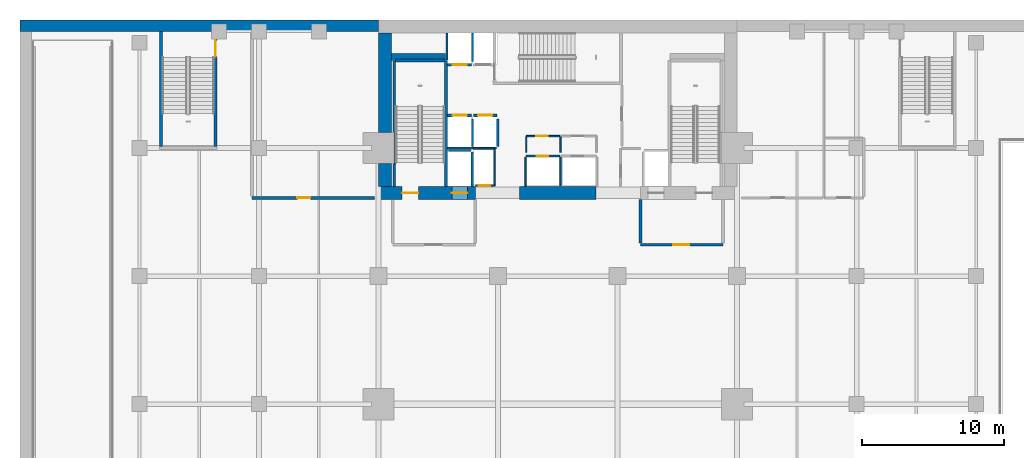
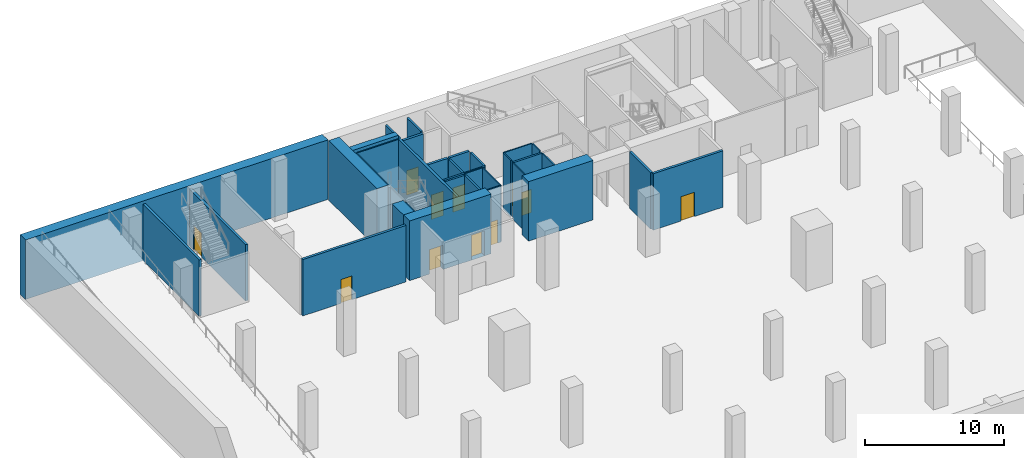
# One storey, part 4 of 10: 35 walls, 11 doors, 11 openings.
"""IFC4 building model written with IfcOpenShell, lengths in metres."""

from ifc_helpers import new_model, si_unit, direction, frame, frame_2d, origin, place, context, subcontext, project, spatial, rectangle, extrude, material, layer, layer_set, type_object, element, fill, save


model = new_model("IFC4")

# Units and contexts
model_context = context("Model", 3, precision=1e-05, world=origin(), true_north=direction((0.0, 1.0)))
body_context = subcontext(model_context, "Body", "Model", "MODEL_VIEW")
ifc_project = project(units=[si_unit("LENGTHUNIT", "METRE"), si_unit("AREAUNIT", "SQUARE_METRE"), si_unit("VOLUMEUNIT", "CUBIC_METRE"), si_unit("PLANEANGLEUNIT", "RADIAN"), si_unit("MASSUNIT", "GRAM", prefix="KILO")], contexts=[model_context])

# Site, building, storey
site_placement = place(None, origin())
site = spatial("IfcSite", under=ifc_project, at=site_placement, CompositionType="ELEMENT")
building_placement = place(site_placement, origin())
building = spatial("IfcBuilding", under=site, at=building_placement, Name="Maruvema Waterfront Hotel and Observation Tower", CompositionType="ELEMENT")
storey_placement = place(building_placement, frame((0.0, 0.0, -5.25)))
storey = spatial("IfcBuildingStorey", under=building, at=storey_placement, Name="B01", CompositionType="ELEMENT", Elevation=-5.25)

# Wall, opening, door
ifc_material_1 = material(Name="Twin-stud acoustic gypsum drywall", Category="gypsum")
ifc_layer_1 = layer(ifc_material_1, 0.14990234375, Name="Acoustic Corridor and Suite Demising Wall 150 mm")
ifc_layer_set_1 = layer_set([ifc_layer_1], Name="Twin-stud acoustic gypsum drywall")
wall_type_1 = type_object("IfcWallType", Name="Acoustic Corridor and Suite Demising Wall 150 mm", PredefinedType="PARTITIONING", material=ifc_layer_set_1)
wall_1_placement = place(storey_placement, frame((35.56005859375, 44.43994140625, 0.0), z_axis=(0.0, 0.0, 1.0), x_axis=(1.0, 0.0, 0.0)))
wall_1 = element("IfcWall", 1, at=wall_1_placement, inside=storey, type_object=wall_type_1, Name="B01 Core Riser Wall W 017", PredefinedType="PARTITIONING", context=body_context, shape_type="SweptSolid", body=[
    extrude(rectangle(XDim=2.39990234375, YDim=0.14990234375, at=frame_2d((1.199951171875, 0.0))), origin(), (0.0, 0.0, 1.0), 4.969970703125),
])
opening_1_placement = place(wall_1_placement, frame((0.75, 0.0, 0.0)))
opening_1 = element("IfcOpeningElement", 2, at=opening_1_placement, cuts=wall_1, Name="Opening DR-080", PredefinedType="OPENING", context=body_context, shape_type="SweptSolid", body=[
    extrude(rectangle(XDim=0.800048828125, YDim=2.050048828125, at=frame_2d((0.39990234375, 1.02490234375))), frame((0.0, 0.0849609375, 0.0), z_axis=(0.0, -1.0, 0.0), x_axis=(1.0, 0.0, 0.0)), (0.0, 0.0, 1.0), 0.169921875),
])
ifc_material_2 = material(Name="Powder-coated steel access leaf", Category="steel")
door_type_1 = type_object("IfcDoorType", Name="Riser and Service Cupboard Door 800x2050 mm", OperationType="NOTDEFINED", PredefinedType="DOOR", material=ifc_material_2)
door_1_placement = place(opening_1_placement, origin())
door_1 = element("IfcDoor", 3, at=door_1_placement, inside=storey, type_object=door_type_1, Name="B01 Electrical Riser Door", OperationType="SINGLE_SWING_RIGHT", OverallHeight=2.050048828125, OverallWidth=0.800048828125, PredefinedType="DOOR", context=body_context, shape_type="SweptSolid", body=[
    extrude(rectangle(XDim=0.800048828125, YDim=2.050048828125, at=frame_2d((0.39990234375, 1.02490234375))), frame((0.0, 0.02490234375, 0.0), z_axis=(0.0, -1.0, 0.0), x_axis=(1.0, 0.0, 0.0)), (0.0, 0.0, 1.0), 0.050048828125),
])
fill(opening_1, door_1)

# Walls
ifc_material_3 = material(Name="Concrete C60/75", Category="concrete")
ifc_layer_2 = layer(ifc_material_3, 0.800048828125, Name="Basement Retaining Diaphragm Wall 800 mm")
ifc_layer_set_2 = layer_set([ifc_layer_2], Name="Concrete C60/75")
wall_type_2 = type_object("IfcWallType", Name="Basement Retaining Diaphragm Wall 800 mm", PredefinedType="USERDEFINED", material=ifc_layer_set_2)
wall_2_placement = place(storey_placement, frame((0.0, 53.60009765625, 0.0), z_axis=(0.0, 0.0, 1.0), x_axis=(1.0, 0.0, 0.0)))
element("IfcWall", 4, at=wall_2_placement, inside=storey, type_object=wall_type_2, Name="B01 North-West Retaining Diaphragm Wall 800 mm", ObjectType="RETAINING WALL", PredefinedType="USERDEFINED", context=body_context, shape_type="SweptSolid", body=[
    extrude(rectangle(XDim=25.199951171875, YDim=0.800048828125, at=frame_2d((12.60009765625, 0.0))), origin(), (0.0, 0.0, 1.0), 5.25),
])
ifc_material_4 = material(Name="Precast concrete C45/55", Category="concrete")
ifc_layer_3 = layer(ifc_material_4, 0.199951171875, Name="Core Shaft and Stairwell Enclosure Wall 200 mm")
ifc_layer_set_3 = layer_set([ifc_layer_3], Name="Precast concrete C45/55")
wall_type_3 = type_object("IfcWallType", Name="Core Shaft and Stairwell Enclosure Wall 200 mm", PredefinedType="SOLIDWALL", material=ifc_layer_set_3)
wall_3_placement = place(storey_placement, frame((29.949951171875, 42.300048828125, 0.0), z_axis=(0.0, 0.0, 1.0), x_axis=(0.0, 1.0, 0.0)))
element("IfcWall", 5, at=wall_3_placement, inside=storey, type_object=wall_type_3, Name="B01 Stairwell ST-01 East Shaft Wall", PredefinedType="SOLIDWALL", context=body_context, shape_type="SweptSolid", body=[
    extrude(rectangle(XDim=8.849853515625, YDim=0.199951171875, at=frame_2d((4.4248046875, 0.0))), origin(), (0.0, 0.0, 1.0), 4.969970703125),
])
wall_4_placement = place(storey_placement, frame((26.300048828125, 42.300048828125, 0.0), z_axis=(0.0, 0.0, 1.0), x_axis=(0.0, 1.0, 0.0)))
element("IfcWall", 6, at=wall_4_placement, inside=storey, type_object=wall_type_3, Name="B01 Stairwell ST-01 Shaft Lining Wall", PredefinedType="SOLIDWALL", context=body_context, shape_type="SweptSolid", body=[
    extrude(rectangle(XDim=1.579833984375, YDim=0.199951171875, at=frame_2d((0.7900390625, 0.0))), origin(), (0.0, 0.0, 1.0), 4.969970703125),
])
wall_5_placement = place(storey_placement, frame((26.300048828125, 46.1201171875, 0.0), z_axis=(0.0, 0.0, 1.0), x_axis=(0.0, 1.0, 0.0)))
element("IfcWall", 7, at=wall_5_placement, inside=storey, type_object=wall_type_3, Name="B01 Stairwell ST-01 Shaft Lining Wall", PredefinedType="SOLIDWALL", context=body_context, shape_type="SweptSolid", body=[
    extrude(rectangle(XDim=5.0, YDim=0.199951171875, at=frame_2d((2.5, 0.0))), origin(), (0.0, 0.0, 1.0), 4.969970703125),
])
wall_6_placement = place(storey_placement, frame((26.3798828125, 51.14990234375, 0.0), z_axis=(0.0, 0.0, 1.0), x_axis=(1.0, 0.0, 0.0)))
element("IfcWall", 8, at=wall_6_placement, inside=storey, type_object=wall_type_3, Name="B01 Stairwell ST-01 Shaft Lining Wall", PredefinedType="SOLIDWALL", context=body_context, shape_type="SweptSolid", body=[
    extrude(rectangle(XDim=3.5, YDim=0.199951171875, at=frame_2d((1.75, 0.0))), origin(), (0.0, 0.0, 1.0), 4.969970703125),
])
wall_7_placement = place(storey_placement, frame((9.89990234375, 45.10009765625, 0.0), z_axis=(0.0, 0.0, 1.0), x_axis=(0.0, 1.0, 0.0)))
element("IfcWall", 9, at=wall_7_placement, inside=storey, type_object=wall_type_3, Name="B01 Stairwell ST-04 Shaft Wall", PredefinedType="SOLIDWALL", context=body_context, shape_type="SweptSolid", body=[
    extrude(rectangle(XDim=8.099853515625, YDim=0.199951171875, at=frame_2d((4.0498046875, 0.0))), origin(), (0.0, 0.0, 1.0), 4.969970703125),
])

# Wall, opening, door
wall_8_placement = place(storey_placement, frame((13.75, 45.10009765625, 0.0), z_axis=(0.0, 0.0, 1.0), x_axis=(0.0, 1.0, 0.0)))
wall_8 = element("IfcWall", 10, at=wall_8_placement, inside=storey, type_object=wall_type_3, Name="B01 Stairwell ST-04 Shaft Wall", PredefinedType="SOLIDWALL", context=body_context, shape_type="SweptSolid", body=[
    extrude(rectangle(XDim=8.099853515625, YDim=0.199951171875, at=frame_2d((4.0498046875, 0.0))), origin(), (0.0, 0.0, 1.0), 4.969970703125),
])
opening_2_placement = place(wall_8_placement, frame((6.320068359375, 0.0, 0.0)))
opening_2 = element("IfcOpeningElement", 11, at=opening_2_placement, cuts=wall_8, Name="Opening SD-01", PredefinedType="OPENING", context=body_context, shape_type="SweptSolid", body=[
    extrude(rectangle(XDim=1.14990234375, YDim=2.14990234375, at=frame_2d((0.574951171875, 1.074951171875))), frame((0.0, 0.10986328125, 0.0), z_axis=(0.0, -1.0, 0.0), x_axis=(1.0, 0.0, 0.0)), (0.0, 0.0, 1.0), 0.219970703125),
])
ifc_material_5 = material(Name="Fire-rated galvanised steel leaf", Category="steel")
door_type_2 = type_object("IfcDoorType", Name="Exit Stair Fire Door 1150x2150 mm", OperationType="NOTDEFINED", PredefinedType="DOOR", material=ifc_material_5)
door_2_placement = place(opening_2_placement, origin())
door_2 = element("IfcDoor", 12, at=door_2_placement, inside=storey, type_object=door_type_2, Name="B01 Exit Stair ST-04 Fire Door", OperationType="SINGLE_SWING_RIGHT", OverallHeight=2.14990234375, OverallWidth=1.14990234375, PredefinedType="DOOR", context=body_context, shape_type="SweptSolid", body=[
    extrude(rectangle(XDim=1.14990234375, YDim=2.14990234375, at=frame_2d((0.574951171875, 1.074951171875))), frame((0.0, 0.02490234375, 0.0), z_axis=(0.0, -1.0, 0.0), x_axis=(1.0, 0.0, 0.0)), (0.0, 0.0, 1.0), 0.050048828125),
])
fill(opening_2, door_2)

wall_9_placement = place(storey_placement, frame((30.06005859375, 47.300048828125, 0.0), z_axis=(0.0, 0.0, 1.0), x_axis=(1.0, 0.0, 0.0)))
wall_9 = element("IfcWall", 13, at=wall_9_placement, inside=storey, type_object=wall_type_3, Name="B01 Lift LF-01 Hoistway Front Wall", PredefinedType="SOLIDWALL", context=body_context, shape_type="SweptSolid", body=[
    extrude(rectangle(XDim=1.679931640625, YDim=0.199951171875, at=frame_2d((0.83984375, 0.0))), origin(), (0.0, 0.0, 1.0), 4.969970703125),
])
opening_3_placement = place(wall_9_placement, frame((0.340087890625, 0.0, 0.0)))
opening_3 = element("IfcOpeningElement", 14, at=opening_3_placement, cuts=wall_9, Name="Opening LD-01", PredefinedType="OPENING", context=body_context, shape_type="SweptSolid", body=[
    extrude(rectangle(XDim=1.0, YDim=2.14990234375, at=frame_2d((0.5, 1.074951171875))), frame((0.0, 0.10986328125, 0.0), z_axis=(0.0, -1.0, 0.0), x_axis=(1.0, 0.0, 0.0)), (0.0, 0.0, 1.0), 0.219970703125),
])
ifc_material_6 = material(Name="Brushed stainless steel Grade 316", Category="steel")
door_type_3 = type_object("IfcDoorType", Name="Passenger Lift Sliding Landing Door 1000x2150 mm", OperationType="SLIDING_TO_LEFT", PredefinedType="DOOR", material=ifc_material_6)
door_3_placement = place(opening_3_placement, origin())
door_3 = element("IfcDoor", 15, at=door_3_placement, inside=storey, type_object=door_type_3, Name="B01 Lift LF-01 Sliding Landing Door", OperationType="SLIDING_TO_LEFT", OverallHeight=2.14990234375, OverallWidth=1.0, PredefinedType="DOOR", context=body_context, shape_type="SweptSolid", body=[
    extrude(rectangle(XDim=1.0, YDim=2.14990234375, at=frame_2d((0.5, 1.074951171875))), frame((0.0, 0.02490234375, 0.0), z_axis=(0.0, -1.0, 0.0), x_axis=(1.0, 0.0, 0.0)), (0.0, 0.0, 1.0), 0.050048828125),
])
fill(opening_3, door_3)

wall_10_placement = place(storey_placement, frame((31.860107421875, 47.300048828125, 0.0), z_axis=(0.0, 0.0, 1.0), x_axis=(1.0, 0.0, 0.0)))
wall_10 = element("IfcWall", 16, at=wall_10_placement, inside=storey, type_object=wall_type_3, Name="B01 Lift LF-02 Hoistway Front Wall", PredefinedType="SOLIDWALL", context=body_context, shape_type="SweptSolid", body=[
    extrude(rectangle(XDim=1.679931640625, YDim=0.199951171875, at=frame_2d((0.83984375, 0.0))), origin(), (0.0, 0.0, 1.0), 4.969970703125),
])
opening_4_placement = place(wall_10_placement, frame((0.340087890625, 0.0, 0.0)))
opening_4 = element("IfcOpeningElement", 17, at=opening_4_placement, cuts=wall_10, Name="Opening LD-01", PredefinedType="OPENING", context=body_context, shape_type="SweptSolid", body=[
    extrude(rectangle(XDim=1.0, YDim=2.14990234375, at=frame_2d((0.5, 1.074951171875))), frame((0.0, 0.10986328125, 0.0), z_axis=(0.0, -1.0, 0.0), x_axis=(1.0, 0.0, 0.0)), (0.0, 0.0, 1.0), 0.219970703125),
])
door_4_placement = place(opening_4_placement, origin())
door_4 = element("IfcDoor", 18, at=door_4_placement, inside=storey, type_object=door_type_3, Name="B01 Lift LF-02 Sliding Landing Door", OperationType="SLIDING_TO_LEFT", OverallHeight=2.14990234375, OverallWidth=1.0, PredefinedType="DOOR", context=body_context, shape_type="SweptSolid", body=[
    extrude(rectangle(XDim=1.0, YDim=2.14990234375, at=frame_2d((0.5, 1.074951171875))), frame((0.0, 0.02490234375, 0.0), z_axis=(0.0, -1.0, 0.0), x_axis=(1.0, 0.0, 0.0)), (0.0, 0.0, 1.0), 0.050048828125),
])
fill(opening_4, door_4)

wall_11_placement = place(storey_placement, frame((30.06005859375, 50.85009765625, 0.0), z_axis=(0.0, 0.0, 1.0), x_axis=(1.0, 0.0, 0.0)))
wall_11 = element("IfcWall", 19, at=wall_11_placement, inside=storey, type_object=wall_type_3, Name="B01 Lift LF-03 Hoistway Front Wall", PredefinedType="SOLIDWALL", context=body_context, shape_type="SweptSolid", body=[
    extrude(rectangle(XDim=1.679931640625, YDim=0.199951171875, at=frame_2d((0.83984375, 0.0))), origin(), (0.0, 0.0, 1.0), 4.969970703125),
])
opening_5_placement = place(wall_11_placement, frame((0.340087890625, 0.0, 0.0)))
opening_5 = element("IfcOpeningElement", 20, at=opening_5_placement, cuts=wall_11, Name="Opening LD-01", PredefinedType="OPENING", context=body_context, shape_type="SweptSolid", body=[
    extrude(rectangle(XDim=1.0, YDim=2.14990234375, at=frame_2d((0.5, 1.074951171875))), frame((0.0, 0.10986328125, 0.0), z_axis=(0.0, -1.0, 0.0), x_axis=(1.0, 0.0, 0.0)), (0.0, 0.0, 1.0), 0.219970703125),
])
door_5_placement = place(opening_5_placement, frame((1.0, 0.0, 0.0), z_axis=(0.0, 0.0, 1.0), x_axis=(-1.0, 0.0, 0.0)))
door_5 = element("IfcDoor", 21, at=door_5_placement, inside=storey, type_object=door_type_3, Name="B01 Lift LF-03 Sliding Landing Door", OperationType="SLIDING_TO_LEFT", OverallHeight=2.14990234375, OverallWidth=1.0, PredefinedType="DOOR", context=body_context, shape_type="SweptSolid", body=[
    extrude(rectangle(XDim=1.0, YDim=2.14990234375, at=frame_2d((0.5, 1.074951171875))), frame((0.0, 0.02490234375, 0.0), z_axis=(0.0, -1.0, 0.0), x_axis=(1.0, 0.0, 0.0)), (0.0, 0.0, 1.0), 0.050048828125),
])
fill(opening_5, door_5)

# Wall
ifc_material_7 = material(Name="Concrete C70/85", Category="concrete")
ifc_layer_4 = layer(ifc_material_7, 0.5, Name="Core Shear Wall 500 mm")
ifc_layer_set_4 = layer_set([ifc_layer_4], Name="Concrete C70/85")
wall_type_4 = type_object("IfcWallType", Name="Core Shear Wall 500 mm", PredefinedType="SHEAR", material=ifc_layer_set_4)
wall_12_placement = place(storey_placement, frame((26.10009765625, 51.39990234375, 0.0), z_axis=(0.0, 0.0, 1.0), x_axis=(1.0, 0.0, 0.0)))
element("IfcWall", 22, at=wall_12_placement, inside=storey, type_object=wall_type_4, Name="B01 Internal Core Shear Wall NW 500 mm", PredefinedType="SHEAR", context=body_context, shape_type="SweptSolid", body=[
    extrude(rectangle(XDim=3.7998046875, YDim=0.5, at=frame_2d((1.89990234375, 0.0))), origin(), (0.0, 0.0, 1.0), 5.25),
])

# Wall, openings, doors
ifc_material_8 = material(Name="Concrete C80/95", Category="concrete")
ifc_layer_5 = layer(ifc_material_8, 0.89990234375, Name="Core Shear Wall 900 mm")
ifc_layer_set_5 = layer_set([ifc_layer_5], Name="Concrete C80/95")
wall_type_5 = type_object("IfcWallType", Name="Core Shear Wall 900 mm", PredefinedType="SHEAR", material=ifc_layer_set_5)
wall_13_placement = place(storey_placement, frame((25.199951171875, 41.85009765625, 0.0), z_axis=(0.0, 0.0, 1.0), x_axis=(1.0, 0.0, 0.0)))
wall_13 = element("IfcWall", 23, at=wall_13_placement, inside=storey, type_object=wall_type_5, Name="B01 South-West Core Shear Wall", PredefinedType="SHEAR", context=body_context, shape_type="SweptSolid", body=[
    extrude(rectangle(XDim=6.800048828125, YDim=0.89990234375, at=frame_2d((3.39990234375, 0.0))), origin(), (0.0, 0.0, 1.0), 5.25),
])
opening_6_placement = place(wall_13_placement, frame((1.64990234375, 0.0, 0.0)))
opening_6 = element("IfcOpeningElement", 24, at=opening_6_placement, cuts=wall_13, Name="Opening SD-01", PredefinedType="OPENING", context=body_context, shape_type="SweptSolid", body=[
    extrude(rectangle(XDim=1.14990234375, YDim=2.14990234375, at=frame_2d((0.574951171875, 1.074951171875))), frame((0.0, 0.4599609375, 0.0), z_axis=(0.0, -1.0, 0.0), x_axis=(1.0, 0.0, 0.0)), (0.0, 0.0, 1.0), 0.919921875),
])
opening_7_placement = place(wall_13_placement, frame((5.14990234375, 0.0, 0.0)))
opening_7 = element("IfcOpeningElement", 25, at=opening_7_placement, cuts=wall_13, Name="Opening LD-03", PredefinedType="OPENING", context=body_context, shape_type="SweptSolid", body=[
    extrude(rectangle(XDim=1.10009765625, YDim=2.199951171875, at=frame_2d((0.550048828125, 1.10009765625))), frame((0.0, 0.4599609375, 0.0), z_axis=(0.0, -1.0, 0.0), x_axis=(1.0, 0.0, 0.0)), (0.0, 0.0, 1.0), 0.919921875),
])
door_6_placement = place(opening_6_placement, origin())
door_6 = element("IfcDoor", 26, at=door_6_placement, inside=storey, type_object=door_type_2, Name="B01 Exit Stair ST-01 Fire Door", OperationType="SINGLE_SWING_LEFT", OverallHeight=2.14990234375, OverallWidth=1.14990234375, PredefinedType="DOOR", context=body_context, shape_type="SweptSolid", body=[
    extrude(rectangle(XDim=1.14990234375, YDim=2.14990234375, at=frame_2d((0.574951171875, 1.074951171875))), frame((0.0, 0.02490234375, 0.0), z_axis=(0.0, -1.0, 0.0), x_axis=(1.0, 0.0, 0.0)), (0.0, 0.0, 1.0), 0.050048828125),
])
fill(opening_6, door_6)
ifc_material_9 = material(Name="Brushed stainless steel Grade 316", Category="steel")
door_type_4 = type_object("IfcDoorType", Name="Firefighting Lift Sliding Landing Door 1100x2200 mm", OperationType="SLIDING_TO_LEFT", PredefinedType="DOOR", material=ifc_material_9)
door_7_placement = place(opening_7_placement, frame((1.10009765625, 0.0, 0.0), z_axis=(0.0, 0.0, 1.0), x_axis=(-1.0, 0.0, 0.0)))
door_7 = element("IfcDoor", 27, at=door_7_placement, inside=storey, type_object=door_type_4, Name="B01 Firefighting Lift FL-01 Landing Door", OperationType="SLIDING_TO_LEFT", OverallHeight=2.199951171875, OverallWidth=1.10009765625, PredefinedType="DOOR", context=body_context, shape_type="SweptSolid", body=[
    extrude(rectangle(XDim=1.10009765625, YDim=2.199951171875, at=frame_2d((0.550048828125, 1.10009765625))), frame((0.0, 0.02490234375, 0.0), z_axis=(0.0, -1.0, 0.0), x_axis=(1.0, 0.0, 0.0)), (0.0, 0.0, 1.0), 0.050048828125),
])
fill(opening_7, door_7)

# Walls
wall_14_placement = place(storey_placement, frame((35.10009765625, 41.85009765625, 0.0), z_axis=(0.0, 0.0, 1.0), x_axis=(1.0, 0.0, 0.0)))
element("IfcWall", 28, at=wall_14_placement, inside=storey, type_object=wall_type_5, Name="B01 South-Central Core Shear Wall", PredefinedType="SHEAR", context=body_context, shape_type="SweptSolid", body=[
    extrude(rectangle(XDim=5.39990234375, YDim=0.89990234375, at=frame_2d((2.699951171875, 0.0))), origin(), (0.0, 0.0, 1.0), 5.25),
])
wall_15_placement = place(storey_placement, frame((25.64990234375, 42.300048828125, 0.0), z_axis=(0.0, 0.0, 1.0), x_axis=(0.0, 1.0, 0.0)))
element("IfcWall", 29, at=wall_15_placement, inside=storey, type_object=wall_type_5, Name="B01 West-South Core Shear Wall", PredefinedType="SHEAR", context=body_context, shape_type="SweptSolid", body=[
    extrude(rectangle(XDim=1.599853515625, YDim=0.89990234375, at=frame_2d((0.7998046875, 0.0))), origin(), (0.0, 0.0, 1.0), 5.25),
])
wall_16_placement = place(storey_placement, frame((25.64990234375, 46.10009765625, 0.0), z_axis=(0.0, 0.0, 1.0), x_axis=(0.0, 1.0, 0.0)))
element("IfcWall", 30, at=wall_16_placement, inside=storey, type_object=wall_type_5, Name="B01 West-North Core Shear Wall", PredefinedType="SHEAR", context=body_context, shape_type="SweptSolid", body=[
    extrude(rectangle(XDim=7.0, YDim=0.89990234375, at=frame_2d((3.5, 0.0))), origin(), (0.0, 0.0, 1.0), 5.25),
])

# Wall, opening, door
ifc_material_10 = material(Name="Moisture-resistant cement-board drywall", Category="gypsum")
ifc_layer_6 = layer(ifc_material_10, 0.10009765625, Name="En-Suite Moisture-Resistant Partition 100 mm")
ifc_layer_set_6 = layer_set([ifc_layer_6], Name="Moisture-resistant cement-board drywall")
wall_type_6 = type_object("IfcWallType", Name="En-Suite Moisture-Resistant Partition 100 mm", PredefinedType="PARTITIONING", material=ifc_layer_set_6)
wall_17_placement = place(storey_placement, frame((32.02001953125, 42.360107421875, 0.0), z_axis=(0.0, 0.0, 1.0), x_axis=(1.0, 0.0, 0.0)))
wall_17 = element("IfcWall", 31, at=wall_17_placement, inside=storey, type_object=wall_type_6, Name="B01 Telecom Riser South Wall 007", PredefinedType="PARTITIONING", context=body_context, shape_type="SweptSolid", body=[
    extrude(rectangle(XDim=1.320068359375, YDim=0.10009765625, at=frame_2d((0.66015625, 0.0))), origin(), (0.0, 0.0, 1.0), 4.969970703125),
])
opening_8_placement = place(wall_17_placement, frame((0.239990234375, 0.0, 0.0)))
opening_8 = element("IfcOpeningElement", 32, at=opening_8_placement, cuts=wall_17, Name="Opening DR-080", PredefinedType="OPENING", context=body_context, shape_type="SweptSolid", body=[
    extrude(rectangle(XDim=0.800048828125, YDim=2.050048828125, at=frame_2d((0.39990234375, 1.02490234375))), frame((0.0, 0.06005859375, 0.0), z_axis=(0.0, -1.0, 0.0), x_axis=(1.0, 0.0, 0.0)), (0.0, 0.0, 1.0), 0.1201171875),
])
door_8_placement = place(opening_8_placement, frame((0.800048828125, 0.0, 0.0), z_axis=(0.0, 0.0, 1.0), x_axis=(-1.0, 0.0, 0.0)))
door_8 = element("IfcDoor", 33, at=door_8_placement, inside=storey, type_object=door_type_1, Name="B01 Telecom Riser Door", OperationType="SINGLE_SWING_RIGHT", OverallHeight=2.050048828125, OverallWidth=0.800048828125, PredefinedType="DOOR", context=body_context, shape_type="SweptSolid", body=[
    extrude(rectangle(XDim=0.800048828125, YDim=2.050048828125, at=frame_2d((0.39990234375, 1.02490234375))), frame((0.0, 0.02490234375, 0.0), z_axis=(0.0, -1.0, 0.0), x_axis=(1.0, 0.0, 0.0)), (0.0, 0.0, 1.0), 0.050048828125),
])
fill(opening_8, door_8)

# Walls
wall_18_placement = place(storey_placement, frame((31.840087890625, 44.9599609375, 0.0), z_axis=(0.0, 0.0, 1.0), x_axis=(1.0, 0.0, 0.0)))
element("IfcWall", 34, at=wall_18_placement, inside=storey, type_object=wall_type_6, Name="B01 Telecom Riser North Wall 008", PredefinedType="PARTITIONING", context=body_context, shape_type="SweptSolid", body=[
    extrude(rectangle(XDim=1.47998046875, YDim=0.10009765625, at=frame_2d((0.739990234375, 0.0))), origin(), (0.0, 0.0, 1.0), 4.969970703125),
])
wall_19_placement = place(storey_placement, frame((33.360107421875, 42.360107421875, 0.0), z_axis=(0.0, 0.0, 1.0), x_axis=(0.0, 1.0, 0.0)))
element("IfcWall", 35, at=wall_19_placement, inside=storey, type_object=wall_type_6, Name="B01 Telecom Riser East Wall 009", PredefinedType="PARTITIONING", context=body_context, shape_type="SweptSolid", body=[
    extrude(rectangle(XDim=2.579833984375, YDim=0.10009765625, at=frame_2d((1.2900390625, 0.0))), origin(), (0.0, 0.0, 1.0), 4.969970703125),
])

# Wall, opening, door
wall_20_placement = place(storey_placement, frame((35.580078125, 45.840087890625, 0.0), z_axis=(0.0, 0.0, 1.0), x_axis=(1.0, 0.0, 0.0)))
wall_20 = element("IfcWall", 36, at=wall_20_placement, inside=storey, type_object=wall_type_6, Name="B01 Core Closet K2A North 010", PredefinedType="PARTITIONING", context=body_context, shape_type="SweptSolid", body=[
    extrude(rectangle(XDim=2.35986328125, YDim=0.10009765625, at=frame_2d((1.179931640625, 0.0))), origin(), (0.0, 0.0, 1.0), 4.969970703125),
])
opening_9_placement = place(wall_20_placement, frame((0.699951171875, 0.0, 0.0)))
opening_9 = element("IfcOpeningElement", 37, at=opening_9_placement, cuts=wall_20, Name="Opening DR-080", PredefinedType="OPENING", context=body_context, shape_type="SweptSolid", body=[
    extrude(rectangle(XDim=0.800048828125, YDim=2.050048828125, at=frame_2d((0.39990234375, 1.02490234375))), frame((0.0, 0.06005859375, 0.0), z_axis=(0.0, -1.0, 0.0), x_axis=(1.0, 0.0, 0.0)), (0.0, 0.0, 1.0), 0.1201171875),
])
door_9_placement = place(opening_9_placement, origin())
door_9 = element("IfcDoor", 38, at=door_9_placement, inside=storey, type_object=door_type_1, Name="B01 Core IT Closet Door", OperationType="SINGLE_SWING_LEFT", OverallHeight=2.050048828125, OverallWidth=0.800048828125, PredefinedType="DOOR", context=body_context, shape_type="SweptSolid", body=[
    extrude(rectangle(XDim=0.800048828125, YDim=2.050048828125, at=frame_2d((0.39990234375, 1.02490234375))), frame((0.0, 0.02490234375, 0.0), z_axis=(0.0, -1.0, 0.0), x_axis=(1.0, 0.0, 0.0)), (0.0, 0.0, 1.0), 0.050048828125),
])
fill(opening_9, door_9)

# Walls
for number, where, z_axis, x_axis, name in (
    (39, (35.580078125, 44.699951171875, 0.0), (0.0, 0.0, 1.0), (0.0, 1.0, 0.0), "B01 Core Closet K2 West 012"),
    (40, (37.97998046875, 44.699951171875, 0.0), (0.0, 0.0, 1.0), (0.0, 1.0, 0.0), "B01 Core Closet K2 Mid 013"),
):
    element("IfcWall", number, at=place(storey_placement, frame(where, z_axis=z_axis, x_axis=x_axis)), inside=storey, type_object=wall_type_6, Name=name, PredefinedType="PARTITIONING", context=body_context, shape_type="SweptSolid", body=[
        extrude(rectangle(XDim=1.080078125, YDim=0.10009765625, at=frame_2d((0.5400390625, 0.0))), origin(), (0.0, 0.0, 1.0), 4.969970703125),
    ])
wall_21_placement = place(storey_placement, frame((35.5400390625, 42.320068359375, 0.0), z_axis=(0.0, 0.0, 1.0), x_axis=(0.0, 1.0, 0.0)))
element("IfcWall", 41, at=wall_21_placement, inside=storey, type_object=wall_type_6, Name="B01 Core Riser Side W 019", PredefinedType="PARTITIONING", context=body_context, shape_type="SweptSolid", body=[
    extrude(rectangle(XDim=2.0400390625, YDim=0.10009765625, at=frame_2d((1.02001953125, 0.0))), origin(), (0.0, 0.0, 1.0), 4.969970703125),
])
wall_22_placement = place(storey_placement, frame((38.0, 42.35009765625, 0.0), z_axis=(0.0, 0.0, 1.0), x_axis=(0.0, 1.0, 0.0)))
element("IfcWall", 42, at=wall_22_placement, inside=storey, type_object=wall_type_6, Name="B01 Core Riser Split 021", PredefinedType="PARTITIONING", context=body_context, shape_type="SweptSolid", body=[
    extrude(rectangle(XDim=2.010009765625, YDim=0.10009765625, at=frame_2d((1.0048828125, 0.0))), origin(), (0.0, 0.0, 1.0), 4.969970703125),
])

# Wall, opening, door
ifc_material_11 = material(Name="Autoclaved cellular concrete blockwork", Category="masonry")
ifc_layer_7 = layer(ifc_material_11, 0.199951171875, Name="Fire Compartment Masonry Wall 200 mm")
ifc_layer_set_7 = layer_set([ifc_layer_7], Name="Autoclaved cellular concrete blockwork")
wall_type_7 = type_object("IfcWallType", Name="Fire Compartment Masonry Wall 200 mm", PredefinedType="PARTITIONING", material=ifc_layer_set_7)
wall_23_placement = place(storey_placement, frame((43.60009765625, 38.199951171875, 0.0), z_axis=(0.0, 0.0, 1.0), x_axis=(1.0, 0.0, 0.0)))
wall_23 = element("IfcWall", 43, at=wall_23_placement, inside=storey, type_object=wall_type_7, Name="B01 FFL East South Wall 004", PredefinedType="PARTITIONING", context=body_context, shape_type="SweptSolid", body=[
    extrude(rectangle(XDim=5.7998046875, YDim=0.199951171875, at=frame_2d((2.89990234375, 0.0))), origin(), (0.0, 0.0, 1.0), 4.969970703125),
])
opening_10_placement = place(wall_23_placement, frame((2.300048828125, 0.0, 0.0)))
opening_10 = element("IfcOpeningElement", 44, at=opening_10_placement, cuts=wall_23, Name="Opening FD-115", PredefinedType="OPENING", context=body_context, shape_type="SweptSolid", body=[
    extrude(rectangle(XDim=1.14990234375, YDim=2.14990234375, at=frame_2d((0.574951171875, 1.074951171875))), frame((0.0, 0.10986328125, 0.0), z_axis=(0.0, -1.0, 0.0), x_axis=(1.0, 0.0, 0.0)), (0.0, 0.0, 1.0), 0.219970703125),
])
ifc_material_12 = material(Name="Fire-rated galvanised steel and vision glass", Category="steel")
door_type_5 = type_object("IfcDoorType", Name="Firefighting Lobby Fire Door 1150x2150 mm", OperationType="NOTDEFINED", PredefinedType="DOOR", material=ifc_material_12)
door_10_placement = place(opening_10_placement, frame((1.14990234375, 0.0, 0.0), z_axis=(0.0, 0.0, 1.0), x_axis=(-1.0, 0.0, 0.0)))
door_10 = element("IfcDoor", 45, at=door_10_placement, inside=storey, type_object=door_type_5, Name="B01 Firefighting Lobby East Door", OperationType="SINGLE_SWING_LEFT", OverallHeight=2.14990234375, OverallWidth=1.14990234375, PredefinedType="DOOR", context=body_context, shape_type="SweptSolid", body=[
    extrude(rectangle(XDim=1.14990234375, YDim=2.14990234375, at=frame_2d((0.574951171875, 1.074951171875))), frame((0.0, 0.02490234375, 0.0), z_axis=(0.0, -1.0, 0.0), x_axis=(1.0, 0.0, 0.0)), (0.0, 0.0, 1.0), 0.050048828125),
])
fill(opening_10, door_10)

# Wall
wall_24_placement = place(storey_placement, frame((43.60009765625, 38.31005859375, 0.0), z_axis=(0.0, 0.0, 1.0), x_axis=(0.0, 1.0, 0.0)))
element("IfcWall", 46, at=wall_24_placement, inside=storey, type_object=wall_type_7, Name="B01 FFL East West Wall 005", PredefinedType="PARTITIONING", context=body_context, shape_type="SweptSolid", body=[
    extrude(rectangle(XDim=3.06982421875, YDim=0.199951171875, at=frame_2d((1.534912109375, 0.0))), origin(), (0.0, 0.0, 1.0), 4.969970703125),
])

# Wall, opening, door
wall_25_placement = place(storey_placement, frame((16.300048828125, 41.5, 0.0), z_axis=(0.0, 0.0, 1.0), x_axis=(1.0, 0.0, 0.0)))
wall_25 = element("IfcWall", 47, at=wall_25_placement, inside=storey, type_object=wall_type_7, Name="B01 B01 NW Plant South Wall 024", PredefinedType="PARTITIONING", context=body_context, shape_type="SweptSolid", body=[
    extrude(rectangle(XDim=8.599853515625, YDim=0.199951171875, at=frame_2d((4.2998046875, 0.0))), origin(), (0.0, 0.0, 1.0), 4.969970703125),
])
opening_11_placement = place(wall_25_placement, frame((3.199951171875, 0.0, 0.0)))
opening_11 = element("IfcOpeningElement", 48, at=opening_11_placement, cuts=wall_25, Name="Opening DR-090", PredefinedType="OPENING", context=body_context, shape_type="SweptSolid", body=[
    extrude(rectangle(XDim=0.89990234375, YDim=2.10009765625, at=frame_2d((0.449951171875, 1.050048828125))), frame((0.0, 0.10986328125, 0.0), z_axis=(0.0, -1.0, 0.0), x_axis=(1.0, 0.0, 0.0)), (0.0, 0.0, 1.0), 0.219970703125),
])
ifc_material_13 = material(Name="Solid-core lacquered timber leaf", Category="wood")
door_type_6 = type_object("IfcDoorType", Name="Accessible Toilet and Room Door 900x2100 mm", OperationType="NOTDEFINED", PredefinedType="DOOR", material=ifc_material_13)
door_11_placement = place(opening_11_placement, frame((0.89990234375, 0.0, 0.0), z_axis=(0.0, 0.0, 1.0), x_axis=(-1.0, 0.0, 0.0)))
door_11 = element("IfcDoor", 49, at=door_11_placement, inside=storey, type_object=door_type_6, Name="B01 Standby Power Hall Door", OperationType="SINGLE_SWING_LEFT", OverallHeight=2.10009765625, OverallWidth=0.89990234375, PredefinedType="DOOR", context=body_context, shape_type="SweptSolid", body=[
    extrude(rectangle(XDim=0.89990234375, YDim=2.10009765625, at=frame_2d((0.449951171875, 1.050048828125))), frame((0.0, 0.02490234375, 0.0), z_axis=(0.0, -1.0, 0.0), x_axis=(1.0, 0.0, 0.0)), (0.0, 0.0, 1.0), 0.050048828125),
])
fill(opening_11, door_11)

# Walls
ifc_material_14 = material(Name="Precast concrete C45/55", Category="concrete")
ifc_layer_8 = layer(ifc_material_14, 0.159912109375, Name="Lift Hoistway Divider Wall 160 mm")
ifc_layer_set_8 = layer_set([ifc_layer_8], Name="Precast concrete C45/55")
wall_type_8 = type_object("IfcWallType", Name="Lift Hoistway Divider Wall 160 mm", PredefinedType="SOLIDWALL", material=ifc_layer_set_8)
wall_26_placement = place(storey_placement, frame((30.10009765625, 44.830078125, 0.0), z_axis=(0.0, 0.0, 1.0), x_axis=(1.0, 0.0, 0.0)))
element("IfcWall", 50, at=wall_26_placement, inside=storey, type_object=wall_type_8, Name="B01 Lift FL-01 Rear Hoistway Wall", PredefinedType="SOLIDWALL", context=body_context, shape_type="SweptSolid", body=[
    extrude(rectangle(XDim=1.599853515625, YDim=0.159912109375, at=frame_2d((0.7998046875, 0.0))), origin(), (0.0, 0.0, 1.0), 4.969970703125),
])
wall_27_placement = place(storey_placement, frame((31.780029296875, 42.300048828125, 0.0), z_axis=(0.0, 0.0, 1.0), x_axis=(0.0, 1.0, 0.0)))
element("IfcWall", 51, at=wall_27_placement, inside=storey, type_object=wall_type_8, Name="B01 Lift FL-01 Inner Hoistway Wall", PredefinedType="SOLIDWALL", context=body_context, shape_type="SweptSolid", body=[
    extrude(rectangle(XDim=2.43994140625, YDim=0.159912109375, at=frame_2d((1.219970703125, 0.0))), origin(), (0.0, 0.0, 1.0), 4.969970703125),
])
for number, where, z_axis, x_axis, name in (
    (52, (31.800048828125, 45.10009765625, 0.0), (0.0, 0.0, 1.0), (0.0, 1.0, 0.0), "B01 Hoistway Divider Wall"),
    (53, (33.580078125, 45.10009765625, 0.0), (0.0, 0.0, 1.0), (0.0, 1.0, 0.0), "B01 Hoistway Divider Wall"),
):
    element("IfcWall", number, at=place(storey_placement, frame(where, z_axis=z_axis, x_axis=x_axis)), inside=storey, type_object=wall_type_8, Name=name, PredefinedType="SOLIDWALL", context=body_context, shape_type="SweptSolid", body=[
        extrude(rectangle(XDim=1.949951171875, YDim=0.159912109375, at=frame_2d((0.97509765625, 0.0))), origin(), (0.0, 0.0, 1.0), 4.969970703125),
    ])
wall_28_placement = place(storey_placement, frame((30.050048828125, 45.010009765625, 0.0), z_axis=(0.0, 0.0, 1.0), x_axis=(1.0, 0.0, 0.0)))
element("IfcWall", 54, at=wall_28_placement, inside=storey, type_object=wall_type_8, Name="B01 Hoistway Divider Wall", PredefinedType="SOLIDWALL", context=body_context, shape_type="SweptSolid", body=[
    extrude(rectangle(XDim=3.449951171875, YDim=0.159912109375, at=frame_2d((1.72509765625, 0.0))), origin(), (0.0, 0.0, 1.0), 4.969970703125),
])
wall_29_placement = place(storey_placement, frame((30.010009765625, 51.179931640625, 0.0), z_axis=(0.0, 0.0, 1.0), x_axis=(0.0, 1.0, 0.0)))
element("IfcWall", 55, at=wall_29_placement, inside=storey, type_object=wall_type_8, Name="B01 Hoistway Divider Wall", PredefinedType="SOLIDWALL", context=body_context, shape_type="SweptSolid", body=[
    extrude(rectangle(XDim=1.920166015625, YDim=0.159912109375, at=frame_2d((0.9599609375, 0.0))), origin(), (0.0, 0.0, 1.0), 4.969970703125),
])
wall_30_placement = place(storey_placement, frame((31.800048828125, 51.10009765625, 0.0), z_axis=(0.0, 0.0, 1.0), x_axis=(0.0, 1.0, 0.0)))
element("IfcWall", 56, at=wall_30_placement, inside=storey, type_object=wall_type_8, Name="B01 Hoistway Divider Wall", PredefinedType="SOLIDWALL", context=body_context, shape_type="SweptSolid", body=[
    extrude(rectangle(XDim=2.0, YDim=0.159912109375, at=frame_2d((1.0, 0.0))), origin(), (0.0, 0.0, 1.0), 4.969970703125),
])
ifc_material_15 = material(Name="Precast concrete C45/55", Category="concrete")
ifc_layer_9 = layer(ifc_material_15, 0.10009765625, Name="Stairwell Stringer Cheek Wall 100 mm")
ifc_layer_set_9 = layer_set([ifc_layer_9], Name="Precast concrete C45/55")
wall_type_9 = type_object("IfcWallType", Name="Stairwell Stringer Cheek Wall 100 mm", PredefinedType="SOLIDWALL", material=ifc_layer_set_9)
wall_31_placement = place(storey_placement, frame((26.35205078125, 43.89990234375, 0.0), z_axis=(0.0, 0.0, 1.0), x_axis=(0.0, 1.0, 0.0)))
element("IfcWall", 57, at=wall_31_placement, inside=storey, type_object=wall_type_9, Name="B01 Stairwell ST-01 Mega-Column Cheek Wall", PredefinedType="SOLIDWALL", context=body_context, shape_type="SweptSolid", body=[
    extrude(rectangle(XDim=2.2001953125, YDim=0.10009765625, at=frame_2d((1.10009765625, 0.0))), origin(), (0.0, 0.0, 1.0), 4.969970703125),
])

save(model, "model.ifc")
